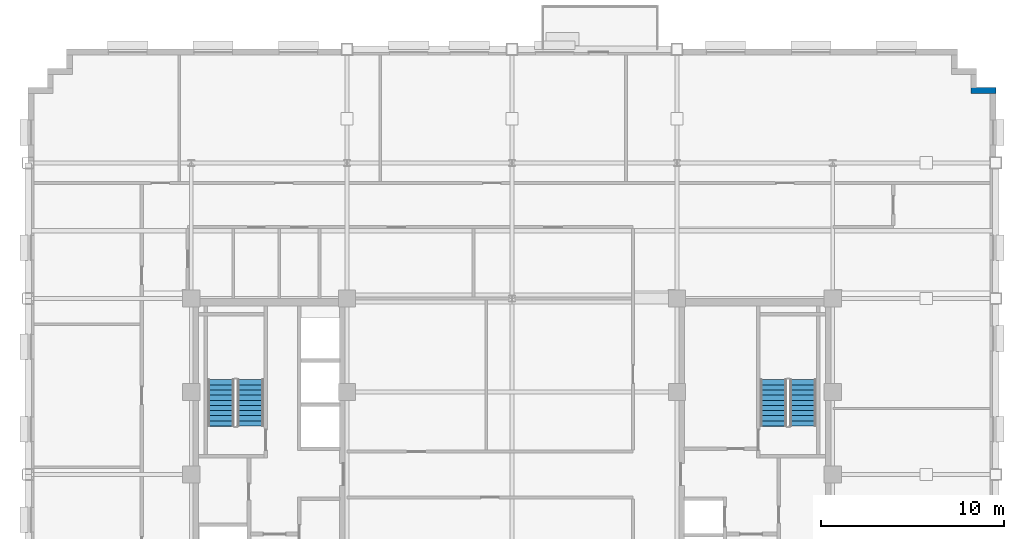
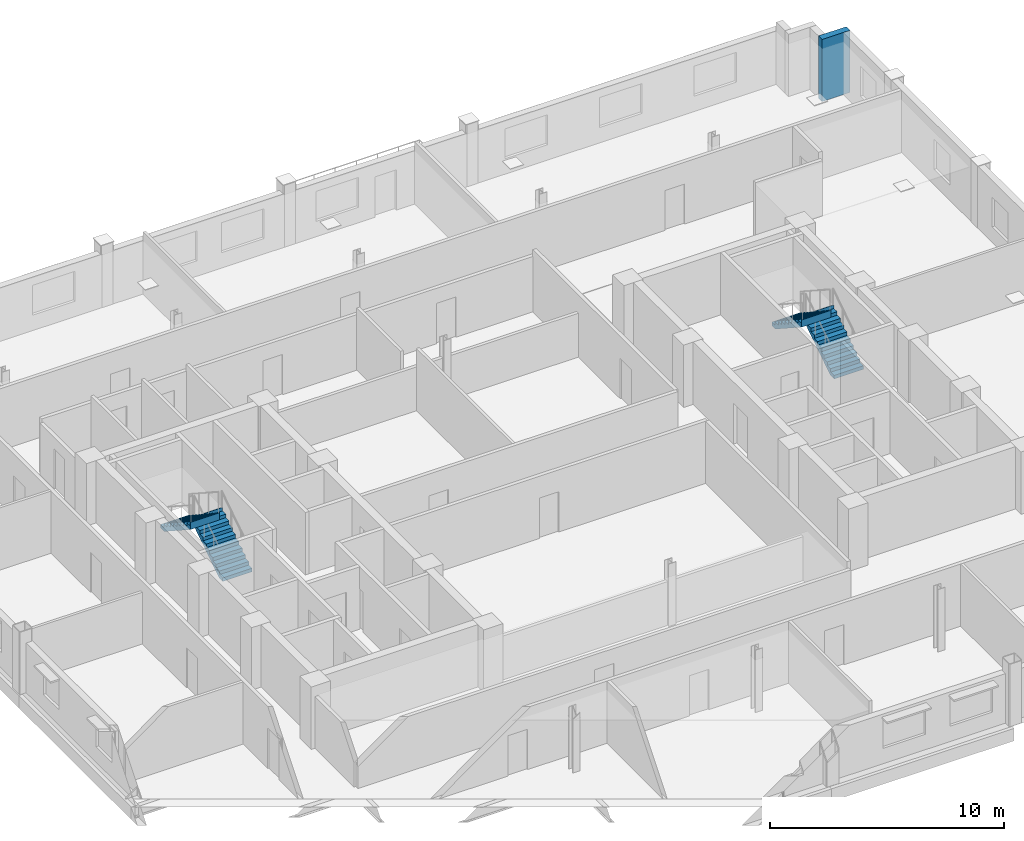
# One storey, part 10 of 14: 4 stair flights, 1 wall, 2 elements without a shape of their own.
"""IFC4 building model written with IfcOpenShell, lengths in metres."""

from ifc_helpers import new_model, si_unit, direction, frame, frame_2d, origin, place, context, subcontext, project, spatial, polyline, rectangle, outline, extrude, material, layer, layer_set, type_object, element, aggregate, save


model = new_model("IFC4")

# Units and contexts
model_context = context("Model", 3, precision=1e-05, world=origin(), true_north=direction((0.0, 1.0)))
body_context = subcontext(model_context, "Body", "Model", "MODEL_VIEW")
ifc_project = project(units=[si_unit("LENGTHUNIT", "METRE"), si_unit("AREAUNIT", "SQUARE_METRE"), si_unit("VOLUMEUNIT", "CUBIC_METRE"), si_unit("PLANEANGLEUNIT", "RADIAN"), si_unit("MASSUNIT", "GRAM", prefix="KILO")], contexts=[model_context])

# Site, building, storey
site_placement = place(None, origin())
site = spatial("IfcSite", under=ifc_project, at=site_placement, CompositionType="ELEMENT")
building_placement = place(site_placement, origin())
building = spatial("IfcBuilding", under=site, at=building_placement, Name="Nuvemarco Arch Tower", CompositionType="ELEMENT")
storey_placement = place(building_placement, frame((0.0, 0.0, 164.0)))
storey = spatial("IfcBuildingStorey", under=building, at=storey_placement, Name="L43", CompositionType="ELEMENT", Elevation=164.0)

# Wall
ifc_material = material(Name="Precast concrete C45/55", Category="concrete")
ifc_layer = layer(ifc_material, 0.320068359375, Name="EW-MID-320")
ifc_layer_set = layer_set([ifc_layer], Name="Precast concrete C45/55")
wall_type = type_object("IfcWallType", Name="EW-MID-320", PredefinedType="STANDARD", material=ifc_layer_set)
wall_placement = place(storey_placement, frame((25.030029296875, 20.93994140625, 0.0), z_axis=(0.0, 0.0, 1.0), x_axis=(1.0, 0.0, 0.0)))
element("IfcWall", 1, at=wall_placement, inside=storey, type_object=wall_type, Name="L43 exterior precast facade wall 7", PredefinedType="STANDARD", context=body_context, shape_type="SweptSolid", body=[
    extrude(rectangle(XDim=1.369873046875, YDim=0.320068359375, at=frame_2d((0.68505859375, 0.0))), origin(), (0.0, 0.0, 1.0), 3.239990234375),
])

# Stair, stair flights
stair_type = type_object("IfcStairType", Name="ST-CORE-20R", PredefinedType="HALF_TURN_STAIR", material=ifc_material)
stair_1_placement = place(storey_placement, origin())
stair_1 = element("IfcStair", 2, at=stair_1_placement, inside=storey, type_object=stair_type, Name="L43 Protected Exit Stair ST-1", PredefinedType="HALF_TURN_STAIR")
stair_flight_type = type_object("IfcStairFlightType", Name="SF-CORE-20R", PredefinedType="STRAIGHT", material=ifc_material)
stair_flight_1_placement = place(storey_placement, frame((-14.264892578125, 2.64990234375, 0.0), z_axis=(0.0, 0.0, 1.0), x_axis=(0.0, 1.0, 0.0)))
stair_flight_1 = element("IfcStairFlight", 3, at=stair_flight_1_placement, type_object=stair_flight_type, Name="ST-20R flight 1", NumberOfRisers=10, NumberOfTreads=9, PredefinedType="STRAIGHT", RiserHeight=0.1825, TreadLength=0.28, context=body_context, shape_type="SweptSolid", body=[
    extrude(outline(polyline([(0.0, 0.0), (0.0, 0.1826171875), (0.280029296875, 0.1826171875), (0.280029296875, 0.364990234375), (0.56005859375, 0.364990234375), (0.56005859375, 0.547607421875), (0.840087890625, 0.547607421875), (0.840087890625, 0.72998046875), (1.1201171875, 0.72998046875), (1.1201171875, 0.91259765625), (1.39990234375, 0.91259765625), (1.39990234375, 1.094970703125), (1.679931640625, 1.094970703125), (1.679931640625, 1.277587890625), (1.9599609375, 1.277587890625), (1.9599609375, 1.4599609375), (2.239990234375, 1.4599609375), (2.239990234375, 1.642578125), (2.52001953125, 1.642578125), (2.52001953125, 1.824951171875), (2.5400390625, 1.824951171875), (2.5400390625, 1.45166015625), (0.312744140625, 0.0), (0.0, 0.0)])), frame((0.0, 0.72509765625, 0.0), z_axis=(0.0, -1.0, 0.0), x_axis=(1.0, 0.0, 0.0)), (0.0, 0.0, 1.0), 1.449951171875),
])
stair_flight_2_placement = place(storey_placement, frame((-15.875, 5.169921875, 1.824951171875), z_axis=(0.0, 0.0, 1.0), x_axis=(0.0, -1.0, 0.0)))
stair_flight_2 = element("IfcStairFlight", 4, at=stair_flight_2_placement, type_object=stair_flight_type, Name="ST-20R flight 2", NumberOfRisers=10, NumberOfTreads=9, PredefinedType="STRAIGHT", RiserHeight=0.1825, TreadLength=0.28, context=body_context, shape_type="SweptSolid", body=[
    extrude(outline(polyline([(0.0, 0.0), (0.0, 0.1826171875), (0.280029296875, 0.1826171875), (0.280029296875, 0.364990234375), (0.56005859375, 0.364990234375), (0.56005859375, 0.547607421875), (0.840087890625, 0.547607421875), (0.840087890625, 0.72998046875), (1.1201171875, 0.72998046875), (1.1201171875, 0.91259765625), (1.39990234375, 0.91259765625), (1.39990234375, 1.094970703125), (1.679931640625, 1.094970703125), (1.679931640625, 1.277587890625), (1.9599609375, 1.277587890625), (1.9599609375, 1.4599609375), (2.239990234375, 1.4599609375), (2.239990234375, 1.642578125), (2.52001953125, 1.642578125), (2.52001953125, 1.824951171875), (2.5400390625, 1.824951171875), (2.5400390625, 1.45166015625), (0.312744140625, 0.0), (0.0, 0.0)])), frame((0.0, 0.72509765625, 0.0), z_axis=(0.0, -1.0, 0.0), x_axis=(1.0, 0.0, 0.0)), (0.0, 0.0, 1.0), 1.449951171875),
])
aggregate(stair_1, [stair_flight_1, stair_flight_2])

stair_2_placement = place(storey_placement, origin())
stair_2 = element("IfcStair", 5, at=stair_2_placement, inside=storey, type_object=stair_type, Name="L43 Protected Exit Stair ST-2", PredefinedType="HALF_TURN_STAIR")
stair_flight_3_placement = place(storey_placement, frame((15.875, 2.64990234375, 0.0), z_axis=(0.0, 0.0, 1.0), x_axis=(0.0, 1.0, 0.0)))
stair_flight_3 = element("IfcStairFlight", 6, at=stair_flight_3_placement, type_object=stair_flight_type, Name="ST-20R flight 1", NumberOfRisers=10, NumberOfTreads=9, PredefinedType="STRAIGHT", RiserHeight=0.1825, TreadLength=0.28, context=body_context, shape_type="SweptSolid", body=[
    extrude(outline(polyline([(0.0, 0.0), (0.0, 0.1826171875), (0.280029296875, 0.1826171875), (0.280029296875, 0.364990234375), (0.56005859375, 0.364990234375), (0.56005859375, 0.547607421875), (0.840087890625, 0.547607421875), (0.840087890625, 0.72998046875), (1.1201171875, 0.72998046875), (1.1201171875, 0.91259765625), (1.39990234375, 0.91259765625), (1.39990234375, 1.094970703125), (1.679931640625, 1.094970703125), (1.679931640625, 1.277587890625), (1.9599609375, 1.277587890625), (1.9599609375, 1.4599609375), (2.239990234375, 1.4599609375), (2.239990234375, 1.642578125), (2.52001953125, 1.642578125), (2.52001953125, 1.824951171875), (2.5400390625, 1.824951171875), (2.5400390625, 1.45166015625), (0.312744140625, 0.0), (0.0, 0.0)])), frame((0.0, 0.72509765625, 0.0), z_axis=(0.0, -1.0, 0.0), x_axis=(1.0, 0.0, 0.0)), (0.0, 0.0, 1.0), 1.449951171875),
])
stair_flight_4_placement = place(storey_placement, frame((14.264892578125, 5.169921875, 1.824951171875), z_axis=(0.0, 0.0, 1.0), x_axis=(0.0, -1.0, 0.0)))
stair_flight_4 = element("IfcStairFlight", 7, at=stair_flight_4_placement, type_object=stair_flight_type, Name="ST-20R flight 2", NumberOfRisers=10, NumberOfTreads=9, PredefinedType="STRAIGHT", RiserHeight=0.1825, TreadLength=0.28, context=body_context, shape_type="SweptSolid", body=[
    extrude(outline(polyline([(0.0, 0.0), (0.0, 0.1826171875), (0.280029296875, 0.1826171875), (0.280029296875, 0.364990234375), (0.56005859375, 0.364990234375), (0.56005859375, 0.547607421875), (0.840087890625, 0.547607421875), (0.840087890625, 0.72998046875), (1.1201171875, 0.72998046875), (1.1201171875, 0.91259765625), (1.39990234375, 0.91259765625), (1.39990234375, 1.094970703125), (1.679931640625, 1.094970703125), (1.679931640625, 1.277587890625), (1.9599609375, 1.277587890625), (1.9599609375, 1.4599609375), (2.239990234375, 1.4599609375), (2.239990234375, 1.642578125), (2.52001953125, 1.642578125), (2.52001953125, 1.824951171875), (2.5400390625, 1.824951171875), (2.5400390625, 1.45166015625), (0.312744140625, 0.0), (0.0, 0.0)])), frame((0.0, 0.72509765625, 0.0), z_axis=(0.0, -1.0, 0.0), x_axis=(1.0, 0.0, 0.0)), (0.0, 0.0, 1.0), 1.449951171875),
])
aggregate(stair_2, [stair_flight_3, stair_flight_4])

save(model, "model.ifc")
